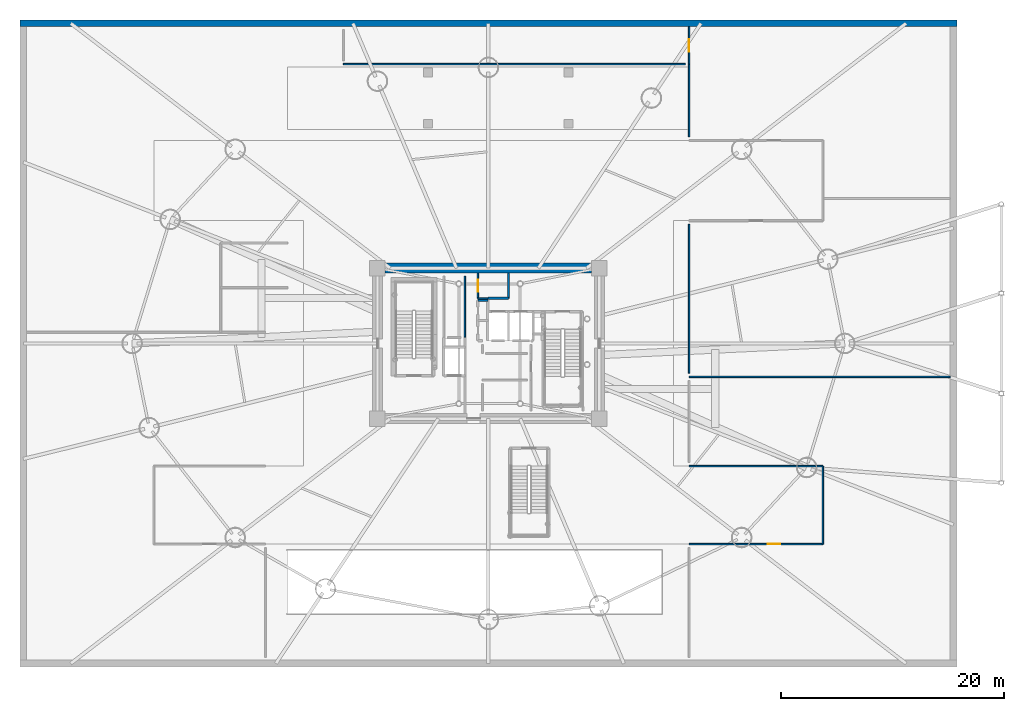
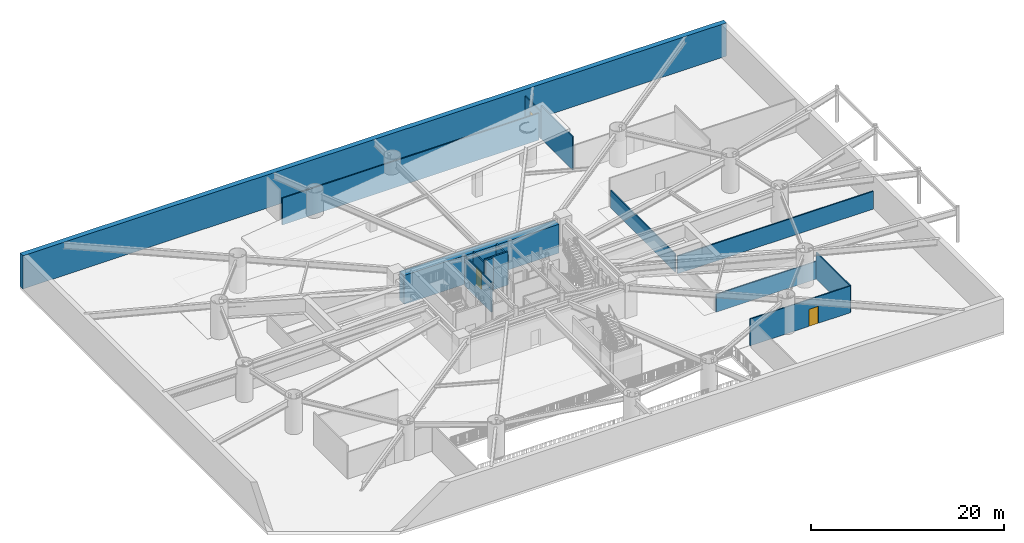
# One storey, part 11 of 21: 16 walls, 3 doors, 3 openings.
"""IFC4 building model written with IfcOpenShell, lengths in metres."""

from ifc_helpers import new_model, si_unit, direction, frame, frame_2d, origin, origin_2d, place, context, subcontext, project, spatial, rectangle, extrude, source, transform, mapped, material, layer, layer_set, type_object, element, fill, save


model = new_model("IFC4")

# Units and contexts
model_context = context("Model", 3, precision=1e-05, world=origin(), true_north=direction((0.0, 1.0)))
body_context = subcontext(model_context, "Body", "Model", "MODEL_VIEW")
ifc_project = project(units=[si_unit("LENGTHUNIT", "METRE"), si_unit("AREAUNIT", "SQUARE_METRE"), si_unit("VOLUMEUNIT", "CUBIC_METRE"), si_unit("PLANEANGLEUNIT", "RADIAN"), si_unit("MASSUNIT", "GRAM", prefix="KILO")], contexts=[model_context])

# Site, building, storey
site_placement = place(None, origin())
site = spatial("IfcSite", under=ifc_project, at=site_placement, CompositionType="ELEMENT")
building_placement = place(site_placement, origin())
building = spatial("IfcBuilding", under=site, at=building_placement, Name="Linh Dai School and Residence Tower", CompositionType="ELEMENT")
storey_placement = place(building_placement, frame((0.0, 0.0, -4.5)))
storey = spatial("IfcBuildingStorey", under=building, at=storey_placement, Name="B01", CompositionType="ELEMENT", Elevation=-4.5)

# Wall, opening, door
ifc_material_1 = material(Name="Autoclaved Aerated Concrete Blockwork", Category="masonry")
ifc_layer_1 = layer(ifc_material_1, 0.135009765625)
ifc_layer_set_1 = layer_set([ifc_layer_1], Name="Autoclaved Aerated Concrete Blockwork")
wall_type_1 = type_object("IfcWallType", Name="IW-CORR-135-EI90", PredefinedType="PARTITIONING", material=ifc_layer_set_1)
wall_1_placement = place(storey_placement, frame((35.050048828125, 31.050048828125, 0.0), z_axis=(0.0, 0.0, 1.0), x_axis=(0.0, 1.0, 0.0)))
wall_1 = element("IfcWall", 1, at=wall_1_placement, inside=storey, type_object=wall_type_1, Name="B01 Interior Partition Wall 018", PredefinedType="PARTITIONING", context=body_context, shape_type="SweptSolid", body=[
    extrude(rectangle(XDim=2.25, YDim=0.135009765625, at=frame_2d((1.125, 0.0))), origin(), (0.0, 0.0, 1.0), 3.784912109375),
])
opening_1_placement = place(wall_1_placement, frame((0.574951171875, 0.0, 0.0)))
opening_1 = element("IfcOpeningElement", 2, at=opening_1_placement, cuts=wall_1, Name="Opening D07", PredefinedType="OPENING", context=body_context, shape_type="SweptSolid", body=[
    extrude(rectangle(XDim=1.10009765625, YDim=2.14990234375, at=origin_2d()), frame((0.550048828125, 0.07763671875, 1.074951171875), z_axis=(0.0, -1.0, 0.0), x_axis=(1.0, 0.0, 0.0)), (0.0, 0.0, 1.0), 0.155029296875),
])
ifc_material_2 = material(Name="Fire-Rated Louvred Steel Plant Door", Category="steel")
door_type = type_object("IfcDoorType", Name="DR-PLT-1100x2150-FD60S", OperationType="NOTDEFINED", PredefinedType="DOOR", material=ifc_material_2)
shared_shape = source(origin(), body_context, "Body", "SweptSolid", [
    extrude(rectangle(XDim=1.10009765625, YDim=2.14990234375, at=origin_2d()), frame((0.550048828125, 0.02490234375, 1.074951171875), z_axis=(0.0, -1.0, 0.0), x_axis=(1.0, 0.0, 0.0)), (0.0, 0.0, 1.0), 0.050048828125),
])
door_1_placement = place(opening_1_placement, origin())
door_1 = element("IfcDoor", 3, at=door_1_placement, inside=storey, type_object=door_type, Name="B01 North BMS Switchroom Door", OperationType="SINGLE_SWING_LEFT", OverallHeight=2.14990234375, OverallWidth=1.10009765625, PredefinedType="DOOR", context=body_context, shape_type="MappedRepresentation", body=[
    mapped(shared_shape, transform((0.0, 0.0, 0.0), x_axis=(1.0, 0.0, 0.0), y_axis=(0.0, 1.0, 0.0), z_axis=(0.0, 0.0, 1.0), scale=1.0)),
])
fill(opening_1, door_1)

# Wall
wall_2_placement = place(storey_placement, frame((35.050048828125, 31.050048828125, 0.0), z_axis=(0.0, 0.0, 1.0), x_axis=(1.0, 0.0, 0.0)))
element("IfcWall", 4, at=wall_2_placement, inside=storey, type_object=wall_type_1, Name="B01 Interior Partition Wall 019", PredefinedType="PARTITIONING", context=body_context, shape_type="SweptSolid", body=[
    extrude(rectangle(XDim=0.89990234375, YDim=0.135009765625, at=frame_2d((0.449951171875, 0.0))), origin(), (0.0, 0.0, 1.0), 4.199951171875),
])

# Wall, opening, door
wall_3_placement = place(storey_placement, frame((54.0, 9.0, 0.0), z_axis=(0.0, 0.0, 1.0), x_axis=(1.0, 0.0, 0.0)))
wall_3 = element("IfcWall", 5, at=wall_3_placement, inside=storey, type_object=wall_type_1, Name="B01 Interior Partition Wall 036", PredefinedType="PARTITIONING", context=body_context, shape_type="SweptSolid", body=[
    extrude(rectangle(XDim=12.0, YDim=0.135009765625, at=frame_2d((6.0, 0.0))), origin(), (0.0, 0.0, 1.0), 3.385009765625),
])
opening_2_placement = place(wall_3_placement, frame((7.049072265625, 0.0, 0.0)))
opening_2 = element("IfcOpeningElement", 6, at=opening_2_placement, cuts=wall_3, Name="Opening D07", PredefinedType="OPENING", context=body_context, shape_type="SweptSolid", body=[
    extrude(rectangle(XDim=1.10009765625, YDim=2.14990234375, at=origin_2d()), frame((0.550048828125, 0.07763671875, 1.074951171875), z_axis=(0.0, -1.0, 0.0), x_axis=(1.0, 0.0, 0.0)), (0.0, 0.0, 1.0), 0.155029296875),
])
door_2_placement = place(opening_2_placement, origin())
door_2 = element("IfcDoor", 7, at=door_2_placement, inside=storey, type_object=door_type, Name="B01 Service Loading Bay and Goods Marshalling Dock Door", OperationType="SINGLE_SWING_RIGHT", OverallHeight=2.14990234375, OverallWidth=1.10009765625, PredefinedType="DOOR", context=body_context, shape_type="MappedRepresentation", body=[
    mapped(shared_shape, transform((0.0, 0.0, 0.0), x_axis=(1.0, 0.0, 0.0), y_axis=(0.0, 1.0, 0.0), z_axis=(0.0, 0.0, 1.0), scale=1.0)),
])
fill(opening_2, door_2)

# Walls
wall_4_placement = place(storey_placement, frame((54.0, 16.0, 0.0), z_axis=(0.0, 0.0, 1.0), x_axis=(1.0, 0.0, 0.0)))
element("IfcWall", 8, at=wall_4_placement, inside=storey, type_object=wall_type_1, Name="B01 Interior Partition Wall 037", PredefinedType="PARTITIONING", context=body_context, shape_type="SweptSolid", body=[
    extrude(rectangle(XDim=12.0, YDim=0.135009765625, at=frame_2d((6.0, 0.0))), origin(), (0.0, 0.0, 1.0), 2.25),
])
wall_5_placement = place(storey_placement, frame((66.0, 9.0, 0.0), z_axis=(0.0, 0.0, 1.0), x_axis=(0.0, 1.0, 0.0)))
element("IfcWall", 9, at=wall_5_placement, inside=storey, type_object=wall_type_1, Name="B01 Interior Partition Wall 042", PredefinedType="PARTITIONING", context=body_context, shape_type="SweptSolid", body=[
    extrude(rectangle(XDim=7.0, YDim=0.135009765625, at=frame_2d((3.5, 0.0))), origin(), (0.0, 0.0, 1.0), 3.385009765625),
])
wall_6_placement = place(storey_placement, frame((33.89990234375, 27.56005859375, 0.0), z_axis=(0.0, 0.0, 1.0), x_axis=(0.0, 1.0, 0.0)))
element("IfcWall", 10, at=wall_6_placement, inside=storey, type_object=wall_type_1, Name="B01 Interior Partition Wall 057", PredefinedType="PARTITIONING", context=body_context, shape_type="SweptSolid", body=[
    extrude(rectangle(XDim=5.47998046875, YDim=0.135009765625, at=frame_2d((2.739990234375, 0.0))), origin(), (0.0, 0.0, 1.0), 3.784912109375),
])
wall_7_placement = place(storey_placement, frame((54.0, 24.3349609375, 0.0), z_axis=(0.0, 0.0, 1.0), x_axis=(0.0, 1.0, 0.0)))
element("IfcWall", 11, at=wall_7_placement, inside=storey, type_object=wall_type_1, Name="B01 Interior Partition Wall 061", PredefinedType="PARTITIONING", context=body_context, shape_type="SweptSolid", body=[
    extrude(rectangle(XDim=13.337646484375, YDim=0.135009765625, at=frame_2d((6.6689453125, 0.0))), origin(), (0.0, 0.0, 1.0), 2.25),
])
wall_8_placement = place(storey_placement, frame((54.0, 45.527587890625, 0.0), z_axis=(0.0, 0.0, 1.0), x_axis=(0.0, 1.0, 0.0)))
element("IfcWall", 12, at=wall_8_placement, inside=storey, type_object=wall_type_1, Name="B01 Interior Partition Wall 062", PredefinedType="PARTITIONING", context=body_context, shape_type="SweptSolid", body=[
    extrude(rectangle(XDim=6.512451171875, YDim=0.135009765625, at=frame_2d((3.25634765625, 0.0))), origin(), (0.0, 0.0, 1.0), 4.199951171875),
])
wall_9_placement = place(storey_placement, frame((53.6650390625, 52.050048828125, 0.0), z_axis=(0.0, 0.0, 1.0), x_axis=(-1.0, 0.0, 0.0)))
element("IfcWall", 13, at=wall_9_placement, inside=storey, type_object=wall_type_1, Name="B01 Interior Partition Wall 063", PredefinedType="PARTITIONING", context=body_context, shape_type="SweptSolid", body=[
    extrude(rectangle(XDim=30.6650390625, YDim=0.135009765625, at=frame_2d((15.33251953125, 0.0))), origin(), (0.0, 0.0, 1.0), 3.385009765625),
])
ifc_layer_2 = layer(ifc_material_1, 0.14990234375)
ifc_layer_set_2 = layer_set([ifc_layer_2], Name="Autoclaved Aerated Concrete Blockwork")
wall_type_2 = type_object("IfcWallType", Name="IW-SCH-150-EI60", PredefinedType="PARTITIONING", material=ifc_layer_set_2)
wall_10_placement = place(storey_placement, frame((54.0, 24.0, 0.0), z_axis=(0.0, 0.0, 1.0), x_axis=(1.0, 0.0, 0.0)))
element("IfcWall", 14, at=wall_10_placement, inside=storey, type_object=wall_type_2, Name="B01 Interior Partition Wall 038", PredefinedType="PARTITIONING", context=body_context, shape_type="SweptSolid", body=[
    extrude(rectangle(XDim=23.39990234375, YDim=0.14990234375, at=frame_2d((11.699951171875, 0.0))), origin(), (0.0, 0.0, 1.0), 2.25),
])

# Wall, opening, door
wall_11_placement = place(storey_placement, frame((54.0, 52.050048828125, 0.0), z_axis=(0.0, 0.0, 1.0), x_axis=(0.0, 1.0, 0.0)))
wall_11 = element("IfcWall", 15, at=wall_11_placement, inside=storey, type_object=wall_type_2, Name="B01 Interior Partition Wall 041", PredefinedType="PARTITIONING", context=body_context, shape_type="SweptSolid", body=[
    extrude(rectangle(XDim=3.349853515625, YDim=0.14990234375, at=frame_2d((1.6748046875, 0.0))), origin(), (0.0, 0.0, 1.0), 3.385009765625),
])
opening_3_placement = place(wall_11_placement, frame((1.125, 0.0, 0.0)))
opening_3 = element("IfcOpeningElement", 16, at=opening_3_placement, cuts=wall_11, Name="Opening D07", PredefinedType="OPENING", context=body_context, shape_type="SweptSolid", body=[
    extrude(rectangle(XDim=1.10009765625, YDim=2.14990234375, at=origin_2d()), frame((0.550048828125, 0.0849609375, 1.074951171875), z_axis=(0.0, -1.0, 0.0), x_axis=(1.0, 0.0, 0.0)), (0.0, 0.0, 1.0), 0.169921875),
])
door_3_placement = place(opening_3_placement, origin())
door_3 = element("IfcDoor", 17, at=door_3_placement, inside=storey, type_object=door_type, Name="B01 Facilities Maintenance Workshop and Store Door", OperationType="SINGLE_SWING_LEFT", OverallHeight=2.14990234375, OverallWidth=1.10009765625, PredefinedType="DOOR", context=body_context, shape_type="MappedRepresentation", body=[
    mapped(shared_shape, transform((0.0, 0.0, 0.0), x_axis=(1.0, 0.0, 0.0), y_axis=(0.0, 1.0, 0.0), z_axis=(0.0, 0.0, 1.0), scale=1.0)),
])
fill(opening_3, door_3)

# Walls
ifc_material_3 = material(Name="Concrete B45 (C35/45)", Category="concrete")
ifc_layer_3 = layer(ifc_material_3, 0.199951171875)
ifc_layer_set_3 = layer_set([ifc_layer_3], Name="Concrete B45 (C35/45)")
wall_type_3 = type_object("IfcWallType", Name="IW-SHAFT-200-EI120", PredefinedType="PARTITIONING", material=ifc_layer_set_3)
wall_12_placement = place(storey_placement, frame((35.050048828125, 30.85009765625, 0.0), z_axis=(0.0, 0.0, 1.0), x_axis=(1.0, 0.0, 0.0)))
element("IfcWall", 18, at=wall_12_placement, inside=storey, type_object=wall_type_3, Name="B01 Interior Partition Wall 017", PredefinedType="PARTITIONING", context=body_context, shape_type="SweptSolid", body=[
    extrude(rectangle(XDim=0.89990234375, YDim=0.199951171875, at=frame_2d((0.449951171875, 0.0))), origin(), (0.0, 0.0, 1.0), 4.199951171875),
])
wall_13_placement = place(storey_placement, frame((35.9599609375, 31.050048828125, 0.0), z_axis=(0.0, 0.0, 1.0), x_axis=(1.0, 0.0, 0.0)))
element("IfcWall", 19, at=wall_13_placement, inside=storey, type_object=wall_type_3, Name="B01 Interior Partition Wall 022", PredefinedType="PARTITIONING", context=body_context, shape_type="SweptSolid", body=[
    extrude(rectangle(XDim=1.840087890625, YDim=0.199951171875, at=frame_2d((0.919921875, 0.0))), origin(), (0.0, 0.0, 1.0), 4.199951171875),
])
wall_14_placement = place(storey_placement, frame((37.800048828125, 31.050048828125, 0.0), z_axis=(0.0, 0.0, 1.0), x_axis=(0.0, 1.0, 0.0)))
element("IfcWall", 20, at=wall_14_placement, inside=storey, type_object=wall_type_3, Name="B01 Interior Partition Wall 024", PredefinedType="PARTITIONING", context=body_context, shape_type="SweptSolid", body=[
    extrude(rectangle(XDim=2.25, YDim=0.199951171875, at=frame_2d((1.125, 0.0))), origin(), (0.0, 0.0, 1.0), 3.784912109375),
])
ifc_material_4 = material(Name="Concrete B60 (C50/60)", Category="concrete")
ifc_layer_4 = layer(ifc_material_4, 0.89990234375)
ifc_layer_set_4 = layer_set([ifc_layer_4], Name="Concrete B60 (C50/60)")
wall_type_4 = type_object("IfcWallType", Name="WL-CORE900", PredefinedType="SHEAR", material=ifc_layer_set_4)
wall_15_placement = place(storey_placement, frame((26.75, 33.75, 0.0), z_axis=(0.0, 0.0, 1.0), x_axis=(1.0, 0.0, 0.0)))
element("IfcWall", 21, at=wall_15_placement, inside=storey, type_object=wall_type_4, Name="B01 Central Core Shear Wall N", PredefinedType="SHEAR", context=body_context, shape_type="SweptSolid", body=[
    extrude(rectangle(XDim=18.5, YDim=0.89990234375, at=frame_2d((9.25, 0.0))), origin(), (0.0, 0.0, 1.0), 3.64990234375),
])
ifc_layer_5 = layer(ifc_material_3, 0.60009765625)
ifc_layer_set_5 = layer_set([ifc_layer_5], Name="Concrete B45 (C35/45)")
wall_type_5 = type_object("IfcWallType", Name="WL-RET600", PredefinedType="SHEAR", material=ifc_layer_set_5)
wall_16_placement = place(storey_placement, frame((-6.0, 55.699951171875, 0.0), z_axis=(0.0, 0.0, 1.0), x_axis=(1.0, 0.0, 0.0)))
element("IfcWall", 22, at=wall_16_placement, inside=storey, type_object=wall_type_5, Name="B01 Basement Perimeter Retaining Wall N", PredefinedType="SHEAR", context=body_context, shape_type="SweptSolid", body=[
    extrude(rectangle(XDim=84.0, YDim=0.60009765625, at=frame_2d((42.0, 0.0))), origin(), (0.0, 0.0, 1.0), 4.199951171875),
])

save(model, "model.ifc")
